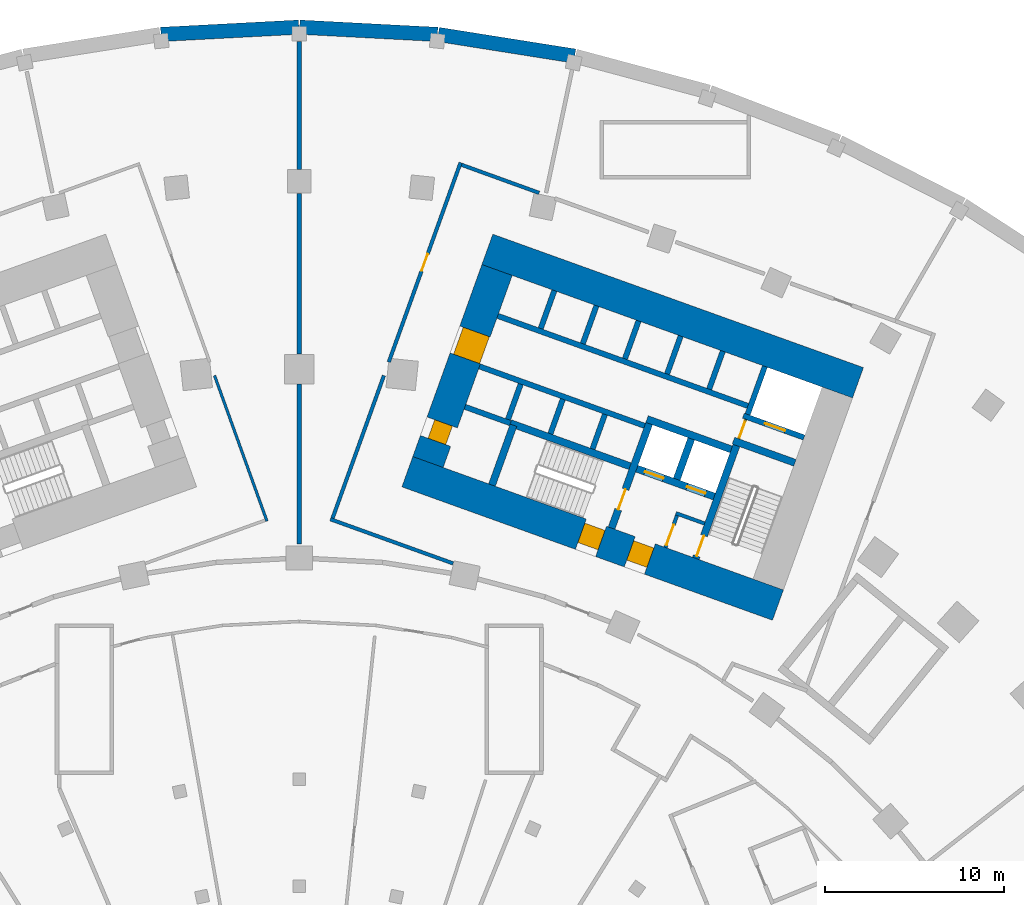
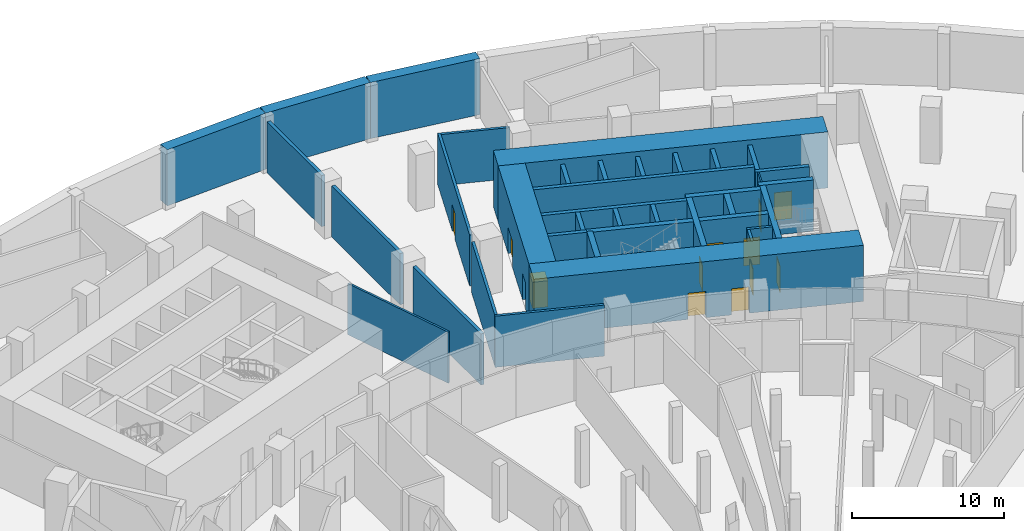
# One storey, part 12 of 23: 37 walls, 12 doors, 12 openings.
"""IFC4 building model written with IfcOpenShell, lengths in metres."""

from ifc_helpers import new_model, si_unit, direction, frame, frame_2d, origin, place, context, subcontext, project, spatial, rectangle, extrude, material, layer, layer_set, type_object, element, fill, save


model = new_model("IFC4")

# Units and contexts
model_context = context("Model", 3, precision=1e-05, world=origin(), true_north=direction((0.0, 1.0)))
body_context = subcontext(model_context, "Body", "Model", "MODEL_VIEW")
ifc_project = project(units=[si_unit("LENGTHUNIT", "METRE"), si_unit("AREAUNIT", "SQUARE_METRE"), si_unit("VOLUMEUNIT", "CUBIC_METRE"), si_unit("PLANEANGLEUNIT", "RADIAN"), si_unit("MASSUNIT", "GRAM", prefix="KILO")], contexts=[model_context])

# Site, building, storey
site_placement = place(None, origin())
site = spatial("IfcSite", under=ifc_project, at=site_placement, CompositionType="ELEMENT")
building_placement = place(site_placement, origin())
building = spatial("IfcBuilding", under=site, at=building_placement, Name="Stone Belt Terrace Tower", CompositionType="ELEMENT")
storey_placement = place(building_placement, frame((0.0, 0.0, -4.5)))
storey = spatial("IfcBuildingStorey", under=building, at=storey_placement, Name="B1", CompositionType="ELEMENT", Elevation=-4.5)

# Walls
ifc_material_1 = material(Name="Concrete B30", Category="concrete")
ifc_layer_1 = layer(ifc_material_1, 0.800048828125)
ifc_layer_set_1 = layer_set([ifc_layer_1], Name="Basement wall 800 B30")
wall_type_1 = type_object("IfcWallType", Name="Basement wall 800 B30", PredefinedType="SHEAR", material=ifc_layer_set_1)
wall_1_placement = place(storey_placement, frame((15.385498046875, 72.4833984375, 0.0), z_axis=(0.0, 0.0, 1.0), x_axis=(-0.987688438382, 0.156433847638, 0.0)))
element("IfcWall", 1, at=wall_1_placement, inside=storey, type_object=wall_type_1, Name="Basement wall B1 34", PredefinedType="SHEAR", context=body_context, shape_type="SweptSolid", body=[
    extrude(rectangle(XDim=7.71435546875, YDim=0.800048828125, at=frame_2d((3.857177734375, 0.0))), origin(), (0.0, 0.0, 1.0), 4.5),
])
for number, where, z_axis, x_axis, name in (
    (2, (7.724609375, 73.694580078125, 0.0), (0.0, 0.0, 1.0), (-0.99862899724, 0.052346211619, 0.0), "Basement wall B1 35"),
    (3, (-0.02099609375, 74.098388671875, 0.0), (0.0, 0.0, 1.0), (-0.99862899724, -0.052346211619, 0.0), "Basement wall B1 36"),
):
    element("IfcWall", number, at=place(storey_placement, frame(where, z_axis=z_axis, x_axis=x_axis)), inside=storey, type_object=wall_type_1, Name=name, PredefinedType="SHEAR", context=body_context, shape_type="SweptSolid", body=[
        extrude(rectangle(XDim=7.714111328125, YDim=0.800048828125, at=frame_2d((3.85693359375, 0.0))), origin(), (0.0, 0.0, 1.0), 4.5),
    ])
ifc_layer_2 = layer(ifc_material_1, 0.25)
ifc_layer_set_2 = layer_set([ifc_layer_2], Name="Compartment wall 250")
wall_type_2 = type_object("IfcWallType", Name="Compartment wall 250", PredefinedType="SOLIDWALL", material=ifc_layer_set_2)
wall_2_placement = place(storey_placement, frame((0.0, 45.215087890625, 0.0), z_axis=(0.0, 0.0, 1.0), x_axis=(0.0, 1.0, 0.0)))
element("IfcWall", 4, at=wall_2_placement, inside=storey, type_object=wall_type_2, Name="Compartment wall B1 10", PredefinedType="SOLIDWALL", context=body_context, shape_type="SweptSolid", body=[
    extrude(rectangle(XDim=8.93994140625, YDim=0.25, at=frame_2d((4.469970703125, 0.0))), origin(), (0.0, 0.0, 1.0), 4.10009765625),
])
wall_3_placement = place(storey_placement, frame((0.0, 55.844970703125, 0.0), z_axis=(0.0, 0.0, 1.0), x_axis=(0.0, 1.0, 0.0)))
element("IfcWall", 5, at=wall_3_placement, inside=storey, type_object=wall_type_2, Name="Compartment wall B1 10", PredefinedType="SOLIDWALL", context=body_context, shape_type="SweptSolid", body=[
    extrude(rectangle(XDim=8.973876953125, YDim=0.25, at=frame_2d((4.48681640625, 0.0))), origin(), (0.0, 0.0, 1.0), 4.10009765625),
])
wall_4_placement = place(storey_placement, frame((0.0, 66.158935546875, 0.0), z_axis=(0.0, 0.0, 1.0), x_axis=(0.0, 1.0, 0.0)))
element("IfcWall", 6, at=wall_4_placement, inside=storey, type_object=wall_type_2, Name="Compartment wall B1 10", PredefinedType="SOLIDWALL", context=body_context, shape_type="SweptSolid", body=[
    extrude(rectangle(XDim=7.14892578125, YDim=0.25, at=frame_2d((3.574462890625, 0.0))), origin(), (0.0, 0.0, 1.0), 4.10009765625),
])

# Wall, opening, door
ifc_material_2 = material(Name="Plasterboard partition")
ifc_layer_3 = layer(ifc_material_2, 0.10009765625)
ifc_layer_set_3 = layer_set([ifc_layer_3], Name="Core partition 100")
wall_type_3 = type_object("IfcWallType", Name="Core partition 100", PredefinedType="PARTITIONING", material=ifc_layer_set_3)
wall_5_placement = place(storey_placement, frame((24.555908203125, 51.10400390625, 0.0), z_axis=(0.0, 0.0, 1.0), x_axis=(0.338621735342, 0.94092258999, 0.0)))
wall_5 = element("IfcWall", 7, at=wall_5_placement, inside=storey, type_object=wall_type_3, Name="Core B wall", PredefinedType="PARTITIONING", context=body_context, shape_type="SweptSolid", body=[
    extrude(rectangle(XDim=1.14990234375, YDim=0.10009765625, at=frame_2d((0.574951171875, 0.0))), origin(), (0.0, 0.0, 1.0), 4.10009765625),
])
opening_1_placement = place(wall_5_placement, frame((0.050048828125, 0.0, 0.0)))
opening_1 = element("IfcOpeningElement", 8, at=opening_1_placement, cuts=wall_5, Name="Opening B1-C09", PredefinedType="OPENING", context=body_context, shape_type="SweptSolid", body=[
    extrude(rectangle(XDim=1.0, YDim=2.10009765625, at=frame_2d((0.5, 1.050048828125))), frame((0.0, 0.06005859375, 0.0), z_axis=(0.0, -1.0, 0.0), x_axis=(1.0, 0.0, 0.0)), (0.0, 0.0, 1.0), 0.1201171875),
])
ifc_material_3 = material(Name="Timber door leaf", Category="wood")
door_type_1 = type_object("IfcDoorType", Name="Core room door 1000", OperationType="SINGLE_SWING_LEFT", PredefinedType="DOOR", material=ifc_material_3)
door_1_placement = place(opening_1_placement, origin())
door_1 = element("IfcDoor", 9, at=door_1_placement, inside=storey, type_object=door_type_1, Name="Service lift lobby door core B", OperationType="SINGLE_SWING_LEFT", OverallHeight=2.10009765625, OverallWidth=1.0, PredefinedType="DOOR", context=body_context, shape_type="SweptSolid", body=[
    extrude(rectangle(XDim=1.0, YDim=2.10009765625, at=frame_2d((0.5, 1.050048828125))), frame((0.0, 0.02490234375, 0.0), z_axis=(0.0, -1.0, 0.0), x_axis=(1.0, 0.0, 0.0)), (0.0, 0.0, 1.0), 0.050048828125),
])
fill(opening_1, door_1)

# Wall, openings, doors
ifc_material_4 = material(Name="Concrete B80", Category="concrete")
ifc_layer_4 = layer(ifc_material_4, 1.800048828125)
ifc_layer_set_4 = layer_set([ifc_layer_4], Name="Core wall 1800 B80")
wall_type_4 = type_object("IfcWallType", Name="Core wall 1800 B80", PredefinedType="SHEAR", material=ifc_layer_set_4)
wall_6_placement = place(storey_placement, frame((6.039306640625, 49.265380859375, 0.0), z_axis=(0.0, 0.0, 1.0), x_axis=(0.940921642213, -0.338624368902, 0.0)))
wall_6 = element("IfcWall", 10, at=wall_6_placement, inside=storey, type_object=wall_type_4, Name="Core B wall concave B1", PredefinedType="SHEAR", context=body_context, shape_type="SweptSolid", body=[
    extrude(rectangle(XDim=22.0, YDim=1.800048828125, at=frame_2d((11.0, 0.0))), origin(), (0.0, 0.0, 1.0), 4.5),
])
opening_2_placement = place(wall_6_placement, frame((13.199951171875, 0.0, 0.0)))
opening_2 = element("IfcOpeningElement", 11, at=opening_2_placement, cuts=wall_6, Name="Opening B1-C13", PredefinedType="OPENING", context=body_context, shape_type="SweptSolid", body=[
    extrude(rectangle(XDim=1.199951171875, YDim=2.10009765625, at=frame_2d((0.60009765625, 1.050048828125))), frame((0.0, 0.909912109375, 0.0), z_axis=(0.0, -1.0, 0.0), x_axis=(1.0, 0.0, 0.0)), (0.0, 0.0, 1.0), 1.820068359375),
])
opening_3_placement = place(wall_6_placement, frame((10.300048828125, 0.0, 0.0)))
opening_3 = element("IfcOpeningElement", 12, at=opening_3_placement, cuts=wall_6, Name="Opening B1-C15", PredefinedType="OPENING", context=body_context, shape_type="SweptSolid", body=[
    extrude(rectangle(XDim=1.199951171875, YDim=2.10009765625, at=frame_2d((0.60009765625, 1.050048828125))), frame((0.0, 0.909912109375, 0.0), z_axis=(0.0, -1.0, 0.0), x_axis=(1.0, 0.0, 0.0)), (0.0, 0.0, 1.0), 1.820068359375),
])
ifc_material_5 = material(Name="Steel door leaf", Category="steel")
door_type_2 = type_object("IfcDoorType", Name="Fire-fighting lobby door 1200", OperationType="SINGLE_SWING_LEFT", PredefinedType="DOOR", material=ifc_material_5)
door_2_placement = place(opening_2_placement, origin())
door_2 = element("IfcDoor", 13, at=door_2_placement, inside=storey, type_object=door_type_2, Name="Fire-fighting lobby door core B", OperationType="SINGLE_SWING_LEFT", OverallHeight=2.10009765625, OverallWidth=1.199951171875, PredefinedType="DOOR", context=body_context, shape_type="SweptSolid", body=[
    extrude(rectangle(XDim=1.199951171875, YDim=2.10009765625, at=frame_2d((0.60009765625, 1.050048828125))), frame((0.0, 0.655029296875, 0.0), z_axis=(0.0, -1.0, 0.0), x_axis=(1.0, 0.0, 0.0)), (0.0, 0.0, 1.0), 1.14990234375),
])
fill(opening_2, door_2)
door_type_3 = type_object("IfcDoorType", Name="Stair door 1200", OperationType="SINGLE_SWING_LEFT", PredefinedType="DOOR", material=ifc_material_5)
door_3_placement = place(opening_3_placement, origin())
door_3 = element("IfcDoor", 14, at=door_3_placement, inside=storey, type_object=door_type_3, Name="Stair 2 exit door core B", OperationType="SINGLE_SWING_RIGHT", OverallHeight=2.10009765625, OverallWidth=1.199951171875, PredefinedType="DOOR", context=body_context, shape_type="SweptSolid", body=[
    extrude(rectangle(XDim=1.199951171875, YDim=2.10009765625, at=frame_2d((0.60009765625, 1.050048828125))), frame((0.0, 0.655029296875, 0.0), z_axis=(0.0, -1.0, 0.0), x_axis=(1.0, 0.0, 0.0)), (0.0, 0.0, 1.0), 1.14990234375),
])
fill(opening_3, door_3)

# Wall
wall_7_placement = place(storey_placement, frame((10.509033203125, 61.685546875, 0.0), z_axis=(0.0, 0.0, 1.0), x_axis=(0.940922914687, -0.338620833112, 0.0)))
element("IfcWall", 15, at=wall_7_placement, inside=storey, type_object=wall_type_4, Name="Core B wall convex B1", PredefinedType="SHEAR", context=body_context, shape_type="SweptSolid", body=[
    extrude(rectangle(XDim=22.000244140625, YDim=1.800048828125, at=frame_2d((11.0, 0.0))), origin(), (0.0, 0.0, 1.0), 4.5),
])

# Wall, openings, doors
wall_8_placement = place(storey_placement, frame((7.19091796875, 49.8076171875, 0.0), z_axis=(0.0, 0.0, 1.0), x_axis=(0.338632255135, 0.940918804033, 0.0)))
wall_8 = element("IfcWall", 16, at=wall_8_placement, inside=storey, type_object=wall_type_4, Name="Core B wall end_a B1", PredefinedType="SHEAR", context=body_context, shape_type="SweptSolid", body=[
    extrude(rectangle(XDim=11.39990234375, YDim=1.800048828125, at=frame_2d((5.699951171875, 0.0))), origin(), (0.0, 0.0, 1.0), 4.5),
])
opening_4_placement = place(wall_8_placement, frame((6.14990234375, 0.0, 0.0)))
opening_4 = element("IfcOpeningElement", 17, at=opening_4_placement, cuts=wall_8, Name="Opening B1-C10", PredefinedType="OPENING", context=body_context, shape_type="SweptSolid", body=[
    extrude(rectangle(XDim=1.60009765625, YDim=2.10009765625, at=frame_2d((0.800048828125, 1.050048828125))), frame((0.0, 0.909912109375, 0.0), z_axis=(0.0, -1.0, 0.0), x_axis=(1.0, 0.0, 0.0)), (0.0, 0.0, 1.0), 1.820068359375),
])
opening_5_placement = place(wall_8_placement, frame((1.25, 0.0, 0.0)))
opening_5 = element("IfcOpeningElement", 18, at=opening_5_placement, cuts=wall_8, Name="Opening B1-C16", PredefinedType="OPENING", context=body_context, shape_type="SweptSolid", body=[
    extrude(rectangle(XDim=1.10009765625, YDim=2.10009765625, at=frame_2d((0.550048828125, 1.050048828125))), frame((0.0, 0.909912109375, 0.0), z_axis=(0.0, -1.0, 0.0), x_axis=(1.0, 0.0, 0.0)), (0.0, 0.0, 1.0), 1.820068359375),
])
door_type_4 = type_object("IfcDoorType", Name="Core room door 1100", OperationType="SINGLE_SWING_LEFT", PredefinedType="DOOR", material=ifc_material_3)
door_4_placement = place(opening_5_placement, origin())
door_4 = element("IfcDoor", 19, at=door_4_placement, inside=storey, type_object=door_type_4, Name="Door to Substation core B", OperationType="SINGLE_SWING_LEFT", OverallHeight=2.10009765625, OverallWidth=1.10009765625, PredefinedType="DOOR", context=body_context, shape_type="SweptSolid", body=[
    extrude(rectangle(XDim=1.10009765625, YDim=2.10009765625, at=frame_2d((0.550048828125, 1.050048828125))), frame((0.0, 0.44482421875, 0.0), z_axis=(0.0, -1.0, 0.0), x_axis=(1.0, 0.0, 0.0)), (0.0, 0.0, 1.0), 1.050048828125),
])
fill(opening_5, door_4)
ifc_material_6 = material(Name="Glazed aluminium door leaf", Category="aluminium")
door_type_5 = type_object("IfcDoorType", Name="Lift lobby entrance door 1600", OperationType="DOUBLE_DOOR_SINGLE_SWING", PredefinedType="DOOR", material=ifc_material_6)
door_5_placement = place(opening_4_placement, origin())
door_5 = element("IfcDoor", 20, at=door_5_placement, inside=storey, type_object=door_type_5, Name="Lift lobby entrance door core B", OperationType="DOUBLE_DOOR_SINGLE_SWING", OverallHeight=2.10009765625, OverallWidth=1.60009765625, PredefinedType="DOOR", context=body_context, shape_type="SweptSolid", body=[
    extrude(rectangle(XDim=1.60009765625, YDim=2.10009765625, at=frame_2d((0.800048828125, 1.050048828125))), frame((0.0, 0.69482421875, 0.0), z_axis=(0.0, -1.0, 0.0), x_axis=(1.0, 0.0, 0.0)), (0.0, 0.0, 1.0), 1.550048828125),
])
fill(opening_4, door_5)

# Walls
ifc_layer_5 = layer(ifc_material_4, 0.39990234375)
ifc_layer_set_5 = layer_set([ifc_layer_5], Name="Fire-fighting lift shaft wall 400")
wall_type_5 = type_object("IfcWallType", Name="Fire-fighting lift shaft wall 400", PredefinedType="SHEAR", material=ifc_layer_set_5)
wall_9_placement = place(storey_placement, frame((24.130615234375, 50.512939453125, 0.0), z_axis=(0.0, 0.0, 1.0), x_axis=(-0.94091168377, 0.338652038744, 0.0)))
element("IfcWall", 21, at=wall_9_placement, inside=storey, type_object=wall_type_5, Name="Core B wall", PredefinedType="SHEAR", context=body_context, shape_type="SweptSolid", body=[
    extrude(rectangle(XDim=5.000244140625, YDim=0.39990234375, at=frame_2d((2.5, 0.0))), origin(), (0.0, 0.0, 1.0), 4.10009765625),
])
wall_10_placement = place(storey_placement, frame((21.0859375, 48.845458984375, 0.0), z_axis=(0.0, 0.0, 1.0), x_axis=(0.338629416206, 0.940919825745, 0.0)))
element("IfcWall", 22, at=wall_10_placement, inside=storey, type_object=wall_type_5, Name="Core B wall", PredefinedType="SHEAR", context=body_context, shape_type="SweptSolid", body=[
    extrude(rectangle(XDim=2.400146484375, YDim=0.39990234375, at=frame_2d((1.2001953125, 0.0))), origin(), (0.0, 0.0, 1.0), 4.10009765625),
])

# Wall, opening, door
ifc_layer_6 = layer(ifc_material_4, 0.300048828125)
ifc_layer_set_6 = layer_set([ifc_layer_6], Name="Lift shaft wall 300")
wall_type_6 = type_object("IfcWallType", Name="Lift shaft wall 300", PredefinedType="SHEAR", material=ifc_layer_set_6)
wall_11_placement = place(storey_placement, frame((28.195068359375, 51.17578125, 0.0), z_axis=(0.0, 0.0, 1.0), x_axis=(-0.940901243567, 0.338681044427, 0.0)))
wall_11 = element("IfcWall", 23, at=wall_11_placement, inside=storey, type_object=wall_type_6, Name="Core B wall", PredefinedType="SHEAR", context=body_context, shape_type="SweptSolid", body=[
    extrude(rectangle(XDim=3.599853515625, YDim=0.300048828125, at=frame_2d((1.7998046875, 0.0))), origin(), (0.0, 0.0, 1.0), 4.10009765625),
])
opening_6_placement = place(wall_11_placement, frame((1.1201171875, 0.0, 0.0)))
opening_6 = element("IfcOpeningElement", 24, at=opening_6_placement, cuts=wall_11, Name="Opening B1-LD06", PredefinedType="OPENING", context=body_context, shape_type="SweptSolid", body=[
    extrude(rectangle(XDim=1.199951171875, YDim=2.199951171875, at=frame_2d((0.60009765625, 1.10009765625))), frame((0.0, 0.159912109375, 0.0), z_axis=(0.0, -1.0, 0.0), x_axis=(1.0, 0.0, 0.0)), (0.0, 0.0, 1.0), 0.320068359375),
])
ifc_material_7 = material(Name="Stainless steel door leaf", Category="steel")
door_type_6 = type_object("IfcDoorType", Name="Landing door 1200", OperationType="SLIDING_TO_LEFT", PredefinedType="DOOR", material=ifc_material_7)
door_6_placement = place(opening_6_placement, origin())
door_6 = element("IfcDoor", 25, at=door_6_placement, inside=storey, type_object=door_type_6, Name="Landing door SV1 core B", OperationType="SLIDING_TO_LEFT", OverallHeight=2.199951171875, OverallWidth=1.199951171875, PredefinedType="DOOR", context=body_context, shape_type="SweptSolid", body=[
    extrude(rectangle(XDim=1.199951171875, YDim=2.199951171875, at=frame_2d((0.60009765625, 1.10009765625))), frame((0.0, 0.02490234375, 0.0), z_axis=(0.0, -1.0, 0.0), x_axis=(1.0, 0.0, 0.0)), (0.0, 0.0, 1.0), 0.050048828125),
])
fill(opening_6, door_6)

# Walls
wall_12_placement = place(storey_placement, frame((25.046875, 52.46826171875, 0.0), z_axis=(0.0, 0.0, 1.0), x_axis=(0.338549588058, 0.940948551423, 0.0)))
element("IfcWall", 26, at=wall_12_placement, inside=storey, type_object=wall_type_6, Name="Core B wall", PredefinedType="SHEAR", context=body_context, shape_type="SweptSolid", body=[
    extrude(rectangle(XDim=2.849853515625, YDim=0.300048828125, at=frame_2d((1.4248046875, 0.0))), origin(), (0.0, 0.0, 1.0), 4.10009765625),
])
wall_13_placement = place(storey_placement, frame((25.05810546875, 52.9423828125, 0.0), z_axis=(0.0, 0.0, 1.0), x_axis=(-0.940918215764, 0.338633889685, 0.0)))
element("IfcWall", 27, at=wall_13_placement, inside=storey, type_object=wall_type_6, Name="Core B wall", PredefinedType="SHEAR", context=body_context, shape_type="SweptSolid", body=[
    extrude(rectangle(XDim=14.850341796875, YDim=0.300048828125, at=frame_2d((7.42529296875, 0.0))), origin(), (0.0, 0.0, 1.0), 4.10009765625),
])
wall_14_placement = place(storey_placement, frame((22.897705078125, 53.87939453125, 0.0), z_axis=(0.0, 0.0, 1.0), x_axis=(0.338535034312, 0.940953787677, 0.0)))
element("IfcWall", 28, at=wall_14_placement, inside=storey, type_object=wall_type_6, Name="Core B wall", PredefinedType="SHEAR", context=body_context, shape_type="SweptSolid", body=[
    extrude(rectangle(XDim=2.25, YDim=0.300048828125, at=frame_2d((1.125, 0.0))), origin(), (0.0, 0.0, 1.0), 4.10009765625),
])
wall_15_placement = place(storey_placement, frame((19.29052734375, 51.829833984375, 0.0), z_axis=(0.0, 0.0, 1.0), x_axis=(-0.940925833398, 0.338612722803, 0.0)))
element("IfcWall", 29, at=wall_15_placement, inside=storey, type_object=wall_type_6, Name="Core B wall", PredefinedType="SHEAR", context=body_context, shape_type="SweptSolid", body=[
    extrude(rectangle(XDim=9.7998046875, YDim=0.300048828125, at=frame_2d((4.89990234375, 0.0))), origin(), (0.0, 0.0, 1.0), 4.10009765625),
])
wall_16_placement = place(storey_placement, frame((20.54541015625, 54.72607421875, 0.0), z_axis=(0.0, 0.0, 1.0), x_axis=(0.338569601369, 0.940941350472, 0.0)))
element("IfcWall", 30, at=wall_16_placement, inside=storey, type_object=wall_type_6, Name="Core B wall", PredefinedType="SHEAR", context=body_context, shape_type="SweptSolid", body=[
    extrude(rectangle(XDim=2.249755859375, YDim=0.300048828125, at=frame_2d((1.125, 0.0))), origin(), (0.0, 0.0, 1.0), 4.10009765625),
])
wall_17_placement = place(storey_placement, frame((16.38134765625, 50.53857421875, 0.0), z_axis=(0.0, 0.0, 1.0), x_axis=(0.338681515556, 0.940901073982, 0.0)))
element("IfcWall", 31, at=wall_17_placement, inside=storey, type_object=wall_type_6, Name="Core B wall", PredefinedType="SHEAR", context=body_context, shape_type="SweptSolid", body=[
    extrude(rectangle(XDim=2.050048828125, YDim=0.300048828125, at=frame_2d((1.02490234375, 0.0))), origin(), (0.0, 0.0, 1.0), 4.10009765625),
])
wall_18_placement = place(storey_placement, frame((18.193115234375, 55.572509765625, 0.0), z_axis=(0.0, 0.0, 1.0), x_axis=(0.338535034312, 0.940953787677, 0.0)))
element("IfcWall", 32, at=wall_18_placement, inside=storey, type_object=wall_type_6, Name="Core B wall", PredefinedType="SHEAR", context=body_context, shape_type="SweptSolid", body=[
    extrude(rectangle(XDim=2.25, YDim=0.300048828125, at=frame_2d((1.125, 0.0))), origin(), (0.0, 0.0, 1.0), 4.10009765625),
])
wall_19_placement = place(storey_placement, frame((14.029052734375, 51.38525390625, 0.0), z_axis=(0.0, 0.0, 1.0), x_axis=(0.338681515556, 0.940901073982, 0.0)))
element("IfcWall", 33, at=wall_19_placement, inside=storey, type_object=wall_type_6, Name="Core B wall", PredefinedType="SHEAR", context=body_context, shape_type="SweptSolid", body=[
    extrude(rectangle(XDim=2.050048828125, YDim=0.300048828125, at=frame_2d((1.02490234375, 0.0))), origin(), (0.0, 0.0, 1.0), 4.10009765625),
])
wall_20_placement = place(storey_placement, frame((15.8408203125, 56.419189453125, 0.0), z_axis=(0.0, 0.0, 1.0), x_axis=(0.338569601369, 0.940941350472, 0.0)))
element("IfcWall", 34, at=wall_20_placement, inside=storey, type_object=wall_type_6, Name="Core B wall", PredefinedType="SHEAR", context=body_context, shape_type="SweptSolid", body=[
    extrude(rectangle(XDim=2.249755859375, YDim=0.300048828125, at=frame_2d((1.125, 0.0))), origin(), (0.0, 0.0, 1.0), 4.10009765625),
])
wall_21_placement = place(storey_placement, frame((11.797119140625, 51.975830078125, 0.0), z_axis=(0.0, 0.0, 1.0), x_axis=(-0.940910465161, 0.33865542451, 0.0)))
element("IfcWall", 35, at=wall_21_placement, inside=storey, type_object=wall_type_6, Name="Core B wall", PredefinedType="SHEAR", context=body_context, shape_type="SweptSolid", body=[
    extrude(rectangle(XDim=2.69970703125, YDim=0.300048828125, at=frame_2d((1.349853515625, 0.0))), origin(), (0.0, 0.0, 1.0), 4.10009765625),
])
wall_22_placement = place(storey_placement, frame((11.659912109375, 52.184814453125, 0.0), z_axis=(0.0, 0.0, 1.0), x_axis=(0.338670064856, 0.940905195634, 0.0)))
element("IfcWall", 36, at=wall_22_placement, inside=storey, type_object=wall_type_6, Name="Core B wall", PredefinedType="SHEAR", context=body_context, shape_type="SweptSolid", body=[
    extrude(rectangle(XDim=2.099853515625, YDim=0.300048828125, at=frame_2d((1.0498046875, 0.0))), origin(), (0.0, 0.0, 1.0), 4.10009765625),
])
wall_23_placement = place(storey_placement, frame((13.48828125, 57.265625, 0.0), z_axis=(0.0, 0.0, 1.0), x_axis=(0.338631098537, 0.940919220286, 0.0)))
element("IfcWall", 37, at=wall_23_placement, inside=storey, type_object=wall_type_6, Name="Core B wall", PredefinedType="SHEAR", context=body_context, shape_type="SweptSolid", body=[
    extrude(rectangle(XDim=2.250244140625, YDim=0.300048828125, at=frame_2d((1.125, 0.0))), origin(), (0.0, 0.0, 1.0), 4.10009765625),
])
ifc_material_8 = material(Name="Gypsum board on steel stud partition", Category="steel")
ifc_layer_7 = layer(ifc_material_8, 0.14990234375)
ifc_layer_set_7 = layer_set([ifc_layer_7], Name="Podium partition 150")
wall_type_7 = type_object("IfcWallType", Name="Podium partition 150", PredefinedType="PARTITIONING", material=ifc_layer_set_7)
wall_24_placement = place(storey_placement, frame((-4.73095703125, 54.6376953125, 0.0), z_axis=(0.0, 0.0, 1.0), x_axis=(0.338732477759, -0.940882728352, 0.0)))
element("IfcWall", 38, at=wall_24_placement, inside=storey, type_object=wall_type_7, Name="Podium partition 150", PredefinedType="PARTITIONING", context=body_context, shape_type="SweptSolid", body=[
    extrude(rectangle(XDim=8.638916015625, YDim=0.14990234375, at=frame_2d((4.3193359375, 0.0))), origin(), (0.0, 0.0, 1.0), 4.10009765625),
])
ifc_layer_8 = layer(ifc_material_1, 0.199951171875)
ifc_layer_set_8 = layer_set([ifc_layer_8], Name="Podium stair and shaft wall 200")
wall_type_8 = type_object("IfcWallType", Name="Podium stair and shaft wall 200", PredefinedType="SOLIDWALL", material=ifc_layer_set_8)
wall_25_placement = place(storey_placement, frame((1.73583984375, 46.614013671875, 0.0), z_axis=(0.0, 0.0, 1.0), x_axis=(0.940814819485, -0.338921046023, 0.0)))
element("IfcWall", 39, at=wall_25_placement, inside=storey, type_object=wall_type_8, Name="Podium stair and shaft wall 200", PredefinedType="SOLIDWALL", context=body_context, shape_type="SweptSolid", body=[
    extrude(rectangle(XDim=7.29052734375, YDim=0.199951171875, at=frame_2d((3.645263671875, 0.0))), origin(), (0.0, 0.0, 1.0), 4.10009765625),
])
wall_26_placement = place(storey_placement, frame((1.864013671875, 46.674072265625, 0.0), z_axis=(0.0, 0.0, 1.0), x_axis=(0.338723553924, 0.940885941024, 0.0)))
element("IfcWall", 40, at=wall_26_placement, inside=storey, type_object=wall_type_8, Name="Podium stair and shaft wall 200", PredefinedType="SOLIDWALL", context=body_context, shape_type="SweptSolid", body=[
    extrude(rectangle(XDim=8.4638671875, YDim=0.199951171875, at=frame_2d((4.23193359375, 0.0))), origin(), (0.0, 0.0, 1.0), 4.10009765625),
])

# Wall, opening, door
wall_27_placement = place(storey_placement, frame((5.00341796875, 55.394775390625, 0.0), z_axis=(0.0, 0.0, 1.0), x_axis=(0.338742834856, 0.940878999571, 0.0)))
wall_27 = element("IfcWall", 41, at=wall_27_placement, inside=storey, type_object=wall_type_8, Name="Podium stair and shaft wall 200", PredefinedType="SOLIDWALL", context=body_context, shape_type="SweptSolid", body=[
    extrude(rectangle(XDim=11.83935546875, YDim=0.199951171875, at=frame_2d((5.919677734375, 0.0))), origin(), (0.0, 0.0, 1.0), 4.10009765625),
])
opening_7_placement = place(wall_27_placement, frame((5.419677734375, 0.0, 0.0)))
opening_7 = element("IfcOpeningElement", 42, at=opening_7_placement, cuts=wall_27, Name="Opening B1-P18", PredefinedType="OPENING", context=body_context, shape_type="SweptSolid", body=[
    extrude(rectangle(XDim=1.0, YDim=2.10009765625, at=frame_2d((0.5, 1.050048828125))), frame((0.0, 0.10986328125, 0.0), z_axis=(0.0, -1.0, 0.0), x_axis=(1.0, 0.0, 0.0)), (0.0, 0.0, 1.0), 0.219970703125),
])
ifc_material_9 = material(Name="Steel framed door leaf", Category="steel")
door_type_7 = type_object("IfcDoorType", Name="Podium door single 1000", OperationType="SINGLE_SWING_LEFT", PredefinedType="DOOR", material=ifc_material_9)
door_7_placement = place(opening_7_placement, origin())
door_7 = element("IfcDoor", 43, at=door_7_placement, inside=storey, type_object=door_type_7, Name="Podium door single 1000", OperationType="SINGLE_SWING_RIGHT", OverallHeight=2.10009765625, OverallWidth=1.0, PredefinedType="DOOR", context=body_context, shape_type="SweptSolid", body=[
    extrude(rectangle(XDim=1.0, YDim=2.10009765625, at=frame_2d((0.5, 1.050048828125))), frame((0.0, 0.02490234375, 0.0), z_axis=(0.0, -1.0, 0.0), x_axis=(1.0, 0.0, 0.0)), (0.0, 0.0, 1.0), 0.050048828125),
])
fill(opening_7, door_7)

# Walls
wall_28_placement = place(storey_placement, frame((9.073974609375, 66.406005859375, 0.0), z_axis=(0.0, 0.0, 1.0), x_axis=(0.940314133955, -0.340307698245, 0.0)))
element("IfcWall", 44, at=wall_28_placement, inside=storey, type_object=wall_type_8, Name="Podium stair and shaft wall 200", PredefinedType="SOLIDWALL", context=body_context, shape_type="SweptSolid", body=[
    extrude(rectangle(XDim=4.603515625, YDim=0.199951171875, at=frame_2d((2.3017578125, 0.0))), origin(), (0.0, 0.0, 1.0), 4.10009765625),
])
ifc_material_10 = material(Name="Concrete masonry block", Category="masonry")
ifc_layer_9 = layer(ifc_material_10, 0.199951171875)
ifc_layer_set_9 = layer_set([ifc_layer_9], Name="Rated lobby wall 200")
wall_type_9 = type_object("IfcWallType", Name="Rated lobby wall 200", PredefinedType="PARTITIONING", material=ifc_layer_set_9)
wall_29_placement = place(storey_placement, frame((22.640625, 46.373046875, 0.0), z_axis=(0.0, 0.0, 1.0), x_axis=(-0.940966110313, 0.338500781747, 0.0)))
element("IfcWall", 45, at=wall_29_placement, inside=storey, type_object=wall_type_9, Name="Core B wall", PredefinedType="PARTITIONING", context=body_context, shape_type="SweptSolid", body=[
    extrude(rectangle(XDim=1.699951171875, YDim=0.199951171875, at=frame_2d((0.85009765625, 0.0))), origin(), (0.0, 0.0, 1.0), 4.10009765625),
])

# Wall, opening, door
wall_30_placement = place(storey_placement, frame((20.4580078125, 45.032958984375, 0.0), z_axis=(0.0, 0.0, 1.0), x_axis=(0.338573865316, 0.940939816208, 0.0)))
wall_30 = element("IfcWall", 46, at=wall_30_placement, inside=storey, type_object=wall_type_9, Name="Core B wall", PredefinedType="PARTITIONING", context=body_context, shape_type="SweptSolid", body=[
    extrude(rectangle(XDim=1.900146484375, YDim=0.199951171875, at=frame_2d((0.9501953125, 0.0))), origin(), (0.0, 0.0, 1.0), 4.10009765625),
])
opening_8_placement = place(wall_30_placement, frame((0.14990234375, 0.0, 0.0)))
opening_8 = element("IfcOpeningElement", 47, at=opening_8_placement, cuts=wall_30, Name="Opening B1-C12", PredefinedType="OPENING", context=body_context, shape_type="SweptSolid", body=[
    extrude(rectangle(XDim=1.199951171875, YDim=2.10009765625, at=frame_2d((0.60009765625, 1.050048828125))), frame((0.0, 0.10986328125, 0.0), z_axis=(0.0, -1.0, 0.0), x_axis=(1.0, 0.0, 0.0)), (0.0, 0.0, 1.0), 0.219970703125),
])
door_8_placement = place(opening_8_placement, origin())
door_8 = element("IfcDoor", 48, at=door_8_placement, inside=storey, type_object=door_type_3, Name="Stair airlock door core B", OperationType="SINGLE_SWING_LEFT", OverallHeight=2.10009765625, OverallWidth=1.199951171875, PredefinedType="DOOR", context=body_context, shape_type="SweptSolid", body=[
    extrude(rectangle(XDim=1.199951171875, YDim=2.10009765625, at=frame_2d((0.60009765625, 1.050048828125))), frame((0.0, 0.02490234375, 0.0), z_axis=(0.0, -1.0, 0.0), x_axis=(1.0, 0.0, 0.0)), (0.0, 0.0, 1.0), 0.050048828125),
])
fill(opening_8, door_8)

# Wall
ifc_layer_10 = layer(ifc_material_4, 0.39990234375)
ifc_layer_set_10 = layer_set([ifc_layer_10], Name="Stair enclosure wall 400")
wall_type_10 = type_object("IfcWallType", Name="Stair enclosure wall 400", PredefinedType="SHEAR", material=ifc_layer_set_10)
wall_31_placement = place(storey_placement, frame((27.687255859375, 49.764404296875, 0.0), z_axis=(0.0, 0.0, 1.0), x_axis=(-0.940918954884, 0.338631835981, 0.0)))
element("IfcWall", 49, at=wall_31_placement, inside=storey, type_object=wall_type_10, Name="Core B wall", PredefinedType="SHEAR", context=body_context, shape_type="SweptSolid", body=[
    extrude(rectangle(XDim=3.650146484375, YDim=0.39990234375, at=frame_2d((1.8251953125, 0.0))), origin(), (0.0, 0.0, 1.0), 4.10009765625),
])

# Wall, opening, door
wall_32_placement = place(storey_placement, frame((22.151611328125, 44.42333984375, 0.0), z_axis=(0.0, 0.0, 1.0), x_axis=(0.338625272931, 0.940921316866, 0.0)))
wall_32 = element("IfcWall", 50, at=wall_32_placement, inside=storey, type_object=wall_type_10, Name="Core B wall", PredefinedType="SHEAR", context=body_context, shape_type="SweptSolid", body=[
    extrude(rectangle(XDim=6.699951171875, YDim=0.39990234375, at=frame_2d((3.35009765625, 0.0))), origin(), (0.0, 0.0, 1.0), 4.10009765625),
])
opening_9_placement = place(wall_32_placement, frame((0.14990234375, 0.0, 0.0)))
opening_9 = element("IfcOpeningElement", 51, at=opening_9_placement, cuts=wall_32, Name="Opening B1-C11", PredefinedType="OPENING", context=body_context, shape_type="SweptSolid", body=[
    extrude(rectangle(XDim=1.199951171875, YDim=2.10009765625, at=frame_2d((0.60009765625, 1.050048828125))), frame((0.0, 0.2099609375, 0.0), z_axis=(0.0, -1.0, 0.0), x_axis=(1.0, 0.0, 0.0)), (0.0, 0.0, 1.0), 0.419921875),
])
door_9_placement = place(opening_9_placement, origin())
door_9 = element("IfcDoor", 52, at=door_9_placement, inside=storey, type_object=door_type_3, Name="Stair 1 door core B", OperationType="SINGLE_SWING_LEFT", OverallHeight=2.10009765625, OverallWidth=1.199951171875, PredefinedType="DOOR", context=body_context, shape_type="SweptSolid", body=[
    extrude(rectangle(XDim=1.199951171875, YDim=2.10009765625, at=frame_2d((0.60009765625, 1.050048828125))), frame((0.0, 0.02490234375, 0.0), z_axis=(0.0, -1.0, 0.0), x_axis=(1.0, 0.0, 0.0)), (0.0, 0.0, 1.0), 0.050048828125),
])
fill(opening_9, door_9)

# Wall, openings, doors
wall_33_placement = place(storey_placement, frame((23.182373046875, 47.87841796875, 0.0), z_axis=(0.0, 0.0, 1.0), x_axis=(-0.940921101762, 0.338625870628, 0.0)))
wall_33 = element("IfcWall", 53, at=wall_33_placement, inside=storey, type_object=wall_type_10, Name="Core B wall", PredefinedType="SHEAR", context=body_context, shape_type="SweptSolid", body=[
    extrude(rectangle(XDim=12.10009765625, YDim=0.39990234375, at=frame_2d((6.050048828125, 0.0))), origin(), (0.0, 0.0, 1.0), 4.10009765625),
])
opening_10_placement = place(wall_33_placement, frame((0.52001953125, 0.0, 0.0)))
opening_10 = element("IfcOpeningElement", 54, at=opening_10_placement, cuts=wall_33, Name="Opening B1-LD04", PredefinedType="OPENING", context=body_context, shape_type="SweptSolid", body=[
    extrude(rectangle(XDim=1.10009765625, YDim=2.199951171875, at=frame_2d((0.550048828125, 1.10009765625))), frame((0.0, 0.2099609375, 0.0), z_axis=(0.0, -1.0, 0.0), x_axis=(1.0, 0.0, 0.0)), (0.0, 0.0, 1.0), 0.419921875),
])
opening_11_placement = place(wall_33_placement, frame((3.02001953125, 0.0, 0.0)))
opening_11 = element("IfcOpeningElement", 55, at=opening_11_placement, cuts=wall_33, Name="Opening B1-LD05", PredefinedType="OPENING", context=body_context, shape_type="SweptSolid", body=[
    extrude(rectangle(XDim=1.10009765625, YDim=2.199951171875, at=frame_2d((0.550048828125, 1.10009765625))), frame((0.0, 0.2099609375, 0.0), z_axis=(0.0, -1.0, 0.0), x_axis=(1.0, 0.0, 0.0)), (0.0, 0.0, 1.0), 0.419921875),
])
door_type_8 = type_object("IfcDoorType", Name="Landing door 1100", OperationType="SLIDING_TO_LEFT", PredefinedType="DOOR", material=ifc_material_7)
door_10_placement = place(opening_10_placement, origin())
door_10 = element("IfcDoor", 56, at=door_10_placement, inside=storey, type_object=door_type_8, Name="Landing door FF1 core B", OperationType="SLIDING_TO_LEFT", OverallHeight=2.199951171875, OverallWidth=1.10009765625, PredefinedType="DOOR", context=body_context, shape_type="SweptSolid", body=[
    extrude(rectangle(XDim=1.10009765625, YDim=2.199951171875, at=frame_2d((0.550048828125, 1.10009765625))), frame((0.0, 0.02490234375, 0.0), z_axis=(0.0, -1.0, 0.0), x_axis=(1.0, 0.0, 0.0)), (0.0, 0.0, 1.0), 0.050048828125),
])
fill(opening_10, door_10)
door_11_placement = place(opening_11_placement, origin())
door_11 = element("IfcDoor", 57, at=door_11_placement, inside=storey, type_object=door_type_8, Name="Landing door FF2 core B", OperationType="SLIDING_TO_LEFT", OverallHeight=2.199951171875, OverallWidth=1.10009765625, PredefinedType="DOOR", context=body_context, shape_type="SweptSolid", body=[
    extrude(rectangle(XDim=1.10009765625, YDim=2.199951171875, at=frame_2d((0.550048828125, 1.10009765625))), frame((0.0, 0.02490234375, 0.0), z_axis=(0.0, -1.0, 0.0), x_axis=(1.0, 0.0, 0.0)), (0.0, 0.0, 1.0), 0.050048828125),
])
fill(opening_11, door_11)

# Wall, opening, door
wall_34_placement = place(storey_placement, frame((17.447021484375, 46.116455078125, 0.0), z_axis=(0.0, 0.0, 1.0), x_axis=(0.33860791464, 0.940927563707, 0.0)))
wall_34 = element("IfcWall", 58, at=wall_34_placement, inside=storey, type_object=wall_type_10, Name="Core B wall", PredefinedType="SHEAR", context=body_context, shape_type="SweptSolid", body=[
    extrude(rectangle(XDim=6.199951171875, YDim=0.39990234375, at=frame_2d((3.10009765625, 0.0))), origin(), (0.0, 0.0, 1.0), 4.10009765625),
])
opening_12_placement = place(wall_34_placement, frame((1.10009765625, 0.0, 0.0)))
opening_12 = element("IfcOpeningElement", 59, at=opening_12_placement, cuts=wall_34, Name="Opening B1-C14", PredefinedType="OPENING", context=body_context, shape_type="SweptSolid", body=[
    extrude(rectangle(XDim=1.199951171875, YDim=2.10009765625, at=frame_2d((0.60009765625, 1.050048828125))), frame((0.0, 0.2099609375, 0.0), z_axis=(0.0, -1.0, 0.0), x_axis=(1.0, 0.0, 0.0)), (0.0, 0.0, 1.0), 0.419921875),
])
door_12_placement = place(opening_12_placement, origin())
door_12 = element("IfcDoor", 60, at=door_12_placement, inside=storey, type_object=door_type_3, Name="Stair 2 door core B", OperationType="SINGLE_SWING_LEFT", OverallHeight=2.10009765625, OverallWidth=1.199951171875, PredefinedType="DOOR", context=body_context, shape_type="SweptSolid", body=[
    extrude(rectangle(XDim=1.199951171875, YDim=2.10009765625, at=frame_2d((0.60009765625, 1.050048828125))), frame((0.0, 0.02490234375, 0.0), z_axis=(0.0, -1.0, 0.0), x_axis=(1.0, 0.0, 0.0)), (0.0, 0.0, 1.0), 0.050048828125),
])
fill(opening_12, door_12)

# Wall
wall_35_placement = place(storey_placement, frame((10.766357421875, 48.520751953125, 0.0), z_axis=(0.0, 0.0, 1.0), x_axis=(0.338626928157, 0.94092072117, 0.0)))
element("IfcWall", 61, at=wall_35_placement, inside=storey, type_object=wall_type_10, Name="Core B wall", PredefinedType="SHEAR", context=body_context, shape_type="SweptSolid", body=[
    extrude(rectangle(XDim=3.550048828125, YDim=0.39990234375, at=frame_2d((1.77490234375, 0.0))), origin(), (0.0, 0.0, 1.0), 4.10009765625),
])

save(model, "model.ifc")
